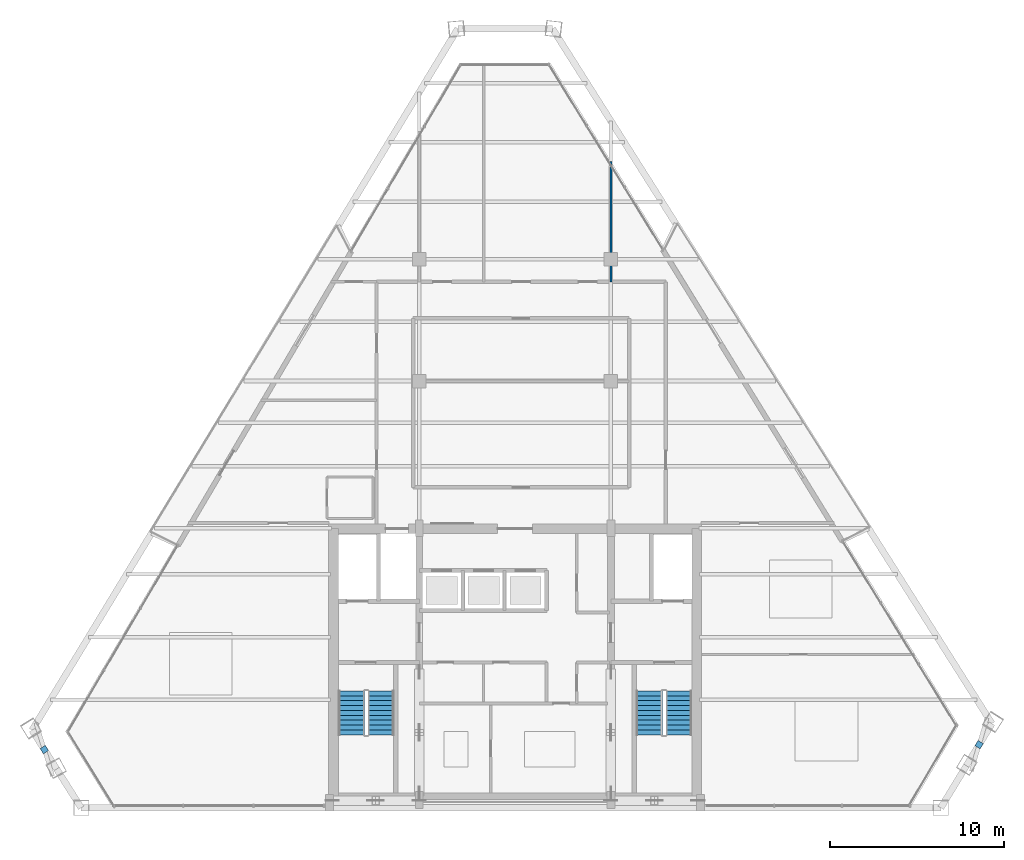
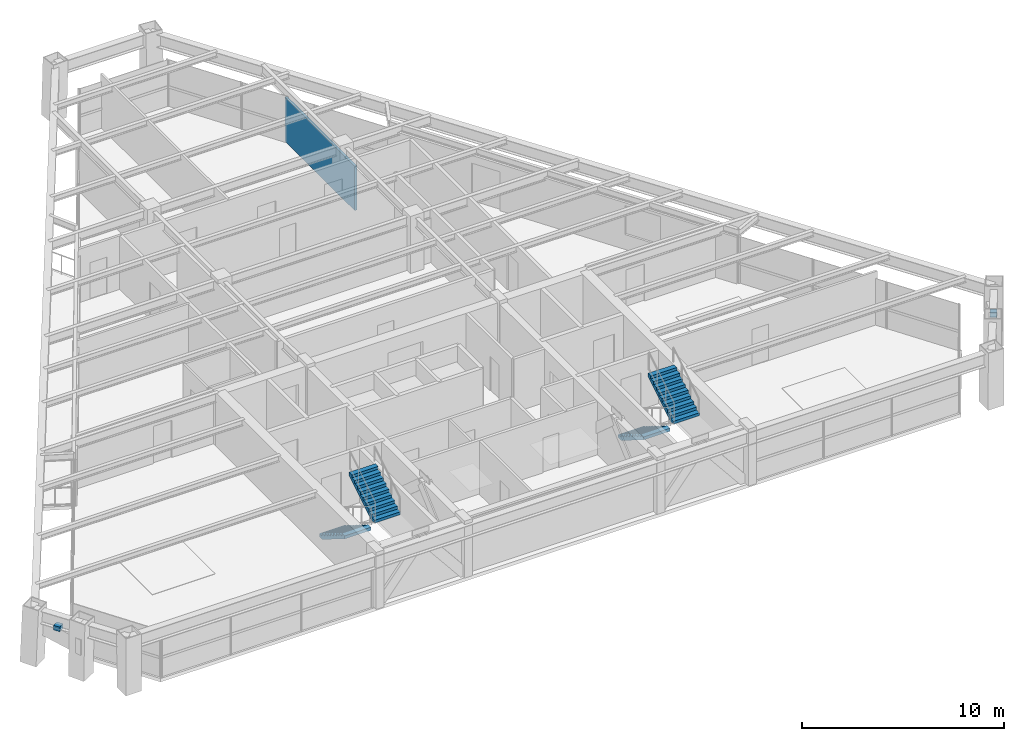
# One storey, part 11 of 14: 4 stair flights, 2 discrete accessories, 1 wall, 2 elements without a shape of their own.
"""IFC4 building model written with IfcOpenShell, lengths in metres."""

from ifc_helpers import new_model, si_unit, direction, frame, frame_2d, origin, origin_2d, place, context, subcontext, project, spatial, polyline, rectangle, outline, extrude, source, transform, mapped, material, layer, layer_set, type_object, type_shapes, element, aggregate, save


model = new_model("IFC4")

# Units and contexts
model_context = context("Model", 3, precision=1e-05, world=origin(), true_north=direction((0.0, 1.0)))
body_context = subcontext(model_context, "Body", "Model", "MODEL_VIEW")
ifc_project = project(units=[si_unit("LENGTHUNIT", "METRE"), si_unit("AREAUNIT", "SQUARE_METRE"), si_unit("VOLUMEUNIT", "CUBIC_METRE"), si_unit("PLANEANGLEUNIT", "RADIAN"), si_unit("MASSUNIT", "GRAM", prefix="KILO")], contexts=[model_context])

# Site, building, storey
site_placement = place(None, origin())
site = spatial("IfcSite", under=ifc_project, at=site_placement, CompositionType="ELEMENT")
building_placement = place(site_placement, origin())
building = spatial("IfcBuilding", under=site, at=building_placement, Name="Varnakhor Terracotta Tower", CompositionType="ELEMENT")
storey_placement = place(building_placement, frame((0.0, 0.0, 240.699951171875)))
storey = spatial("IfcBuildingStorey", under=building, at=storey_placement, Name="L62", CompositionType="ELEMENT", Elevation=240.699951171875)

# Wall
ifc_material_1 = material(Name="Acoustic Hotel Room Partition", Category="gypsum")
ifc_layer = layer(ifc_material_1, 0.1298828125, Name="Acoustic Hotel Room Partition")
ifc_layer_set = layer_set([ifc_layer], Name="Acoustic Hotel Room Partition")
wall_type = type_object("IfcWallType", Name="WAL-PART-130", PredefinedType="PARTITIONING", material=ifc_layer_set)
wall_placement = place(storey_placement, frame((5.5, 30.199951171875, 0.0), z_axis=(0.0, 0.0, 1.0), x_axis=(0.0, 1.0, 0.0)))
element("IfcWall", 1, at=wall_placement, inside=storey, type_object=wall_type, Name="L62 North East Column Wall", PredefinedType="PARTITIONING", context=body_context, shape_type="SweptSolid", body=[
    extrude(rectangle(XDim=6.9072265625, YDim=0.1298828125, at=frame_2d((3.45361328125, 0.0))), origin(), (0.0, 0.0, 1.0), 2.68310546875),
])

# Stair, stair flights
ifc_material_2 = material(Name="Concrete C40/50", Category="concrete")
stair_type = type_object("IfcStairType", Name="STR-CORE-HOTEL-1500", PredefinedType="HALF_TURN_STAIR", material=ifc_material_2)
stair_1_placement = place(storey_placement, origin())
stair_1 = element("IfcStair", 2, at=stair_1_placement, inside=storey, type_object=stair_type, Name="L62 Core Exit Stair ST-1", PredefinedType="HALF_TURN_STAIR")
stair_flight_type = type_object("IfcStairFlightType", Name="FLT-HOTEL-1500", PredefinedType="STRAIGHT", material=ifc_material_2)
stair_flight_1_placement = place(storey_placement, frame((-9.39990234375, 6.7099609375, 0.0), z_axis=(0.0, 0.0, 1.0), x_axis=(0.0, -1.0, 0.0)))
stair_flight_1 = element("IfcStairFlight", 3, at=stair_flight_1_placement, type_object=stair_flight_type, Name="ST-1 flight 1", NumberOfRisers=10, NumberOfTreads=9, PredefinedType="STRAIGHT", RiserHeight=0.1725, TreadLength=0.28, context=body_context, shape_type="SweptSolid", body=[
    extrude(outline(polyline([(0.0, 0.0), (0.0, 0.172607421875), (0.280029296875, 0.172607421875), (0.280029296875, 0.344970703125), (0.56005859375, 0.344970703125), (0.56005859375, 0.517578125), (0.840087890625, 0.517578125), (0.840087890625, 0.68994140625), (1.1201171875, 0.68994140625), (1.1201171875, 0.862548828125), (1.39990234375, 0.862548828125), (1.39990234375, 1.034912109375), (1.679931640625, 1.034912109375), (1.679931640625, 1.20751953125), (1.9599609375, 1.20751953125), (1.9599609375, 1.3798828125), (2.239990234375, 1.3798828125), (2.239990234375, 1.552490234375), (2.52001953125, 1.552490234375), (2.52001953125, 1.72509765625), (2.52001953125, 1.36474609375), (0.304931640625, 0.0), (0.0, 0.0)])), frame((0.0, 0.75, 0.0), z_axis=(0.0, -1.0, 0.0), x_axis=(1.0, 0.0, 0.0)), (0.0, 0.0, 1.0), 1.5),
])
stair_flight_2_placement = place(storey_placement, frame((-7.699951171875, 4.18994140625, 1.72509765625), z_axis=(0.0, 0.0, 1.0), x_axis=(0.0, 1.0, 0.0)))
stair_flight_2 = element("IfcStairFlight", 4, at=stair_flight_2_placement, type_object=stair_flight_type, Name="ST-1 flight 2", NumberOfRisers=10, NumberOfTreads=9, PredefinedType="STRAIGHT", RiserHeight=0.1725, TreadLength=0.28, context=body_context, shape_type="SweptSolid", body=[
    extrude(outline(polyline([(0.0, 0.0), (0.0, 0.172607421875), (0.280029296875, 0.172607421875), (0.280029296875, 0.344970703125), (0.56005859375, 0.344970703125), (0.56005859375, 0.517578125), (0.840087890625, 0.517578125), (0.840087890625, 0.68994140625), (1.1201171875, 0.68994140625), (1.1201171875, 0.862548828125), (1.39990234375, 0.862548828125), (1.39990234375, 1.034912109375), (1.679931640625, 1.034912109375), (1.679931640625, 1.20751953125), (1.9599609375, 1.20751953125), (1.9599609375, 1.3798828125), (2.239990234375, 1.3798828125), (2.239990234375, 1.552490234375), (2.52001953125, 1.552490234375), (2.52001953125, 1.72509765625), (2.52001953125, 1.36474609375), (0.304931640625, 0.0), (0.0, 0.0)])), frame((0.0, 0.75, 0.0), z_axis=(0.0, -1.0, 0.0), x_axis=(1.0, 0.0, 0.0)), (0.0, 0.0, 1.0), 1.5),
])
aggregate(stair_1, [stair_flight_1, stair_flight_2])

stair_2_placement = place(storey_placement, origin())
stair_2 = element("IfcStair", 5, at=stair_2_placement, inside=storey, type_object=stair_type, Name="L62 Core Exit Stair ST-2", PredefinedType="HALF_TURN_STAIR")
stair_flight_3_placement = place(storey_placement, frame((7.699951171875, 6.7099609375, 0.0), z_axis=(0.0, 0.0, 1.0), x_axis=(0.0, -1.0, 0.0)))
stair_flight_3 = element("IfcStairFlight", 6, at=stair_flight_3_placement, type_object=stair_flight_type, Name="ST-2 flight 1", NumberOfRisers=10, NumberOfTreads=9, PredefinedType="STRAIGHT", RiserHeight=0.1725, TreadLength=0.28, context=body_context, shape_type="SweptSolid", body=[
    extrude(outline(polyline([(0.0, 0.0), (0.0, 0.172607421875), (0.280029296875, 0.172607421875), (0.280029296875, 0.344970703125), (0.56005859375, 0.344970703125), (0.56005859375, 0.517578125), (0.840087890625, 0.517578125), (0.840087890625, 0.68994140625), (1.1201171875, 0.68994140625), (1.1201171875, 0.862548828125), (1.39990234375, 0.862548828125), (1.39990234375, 1.034912109375), (1.679931640625, 1.034912109375), (1.679931640625, 1.20751953125), (1.9599609375, 1.20751953125), (1.9599609375, 1.3798828125), (2.239990234375, 1.3798828125), (2.239990234375, 1.552490234375), (2.52001953125, 1.552490234375), (2.52001953125, 1.72509765625), (2.52001953125, 1.36474609375), (0.304931640625, 0.0), (0.0, 0.0)])), frame((0.0, 0.75, 0.0), z_axis=(0.0, -1.0, 0.0), x_axis=(1.0, 0.0, 0.0)), (0.0, 0.0, 1.0), 1.5),
])
stair_flight_4_placement = place(storey_placement, frame((9.39990234375, 4.18994140625, 1.72509765625), z_axis=(0.0, 0.0, 1.0), x_axis=(0.0, 1.0, 0.0)))
stair_flight_4 = element("IfcStairFlight", 7, at=stair_flight_4_placement, type_object=stair_flight_type, Name="ST-2 flight 2", NumberOfRisers=10, NumberOfTreads=9, PredefinedType="STRAIGHT", RiserHeight=0.1725, TreadLength=0.28, context=body_context, shape_type="SweptSolid", body=[
    extrude(outline(polyline([(0.0, 0.0), (0.0, 0.172607421875), (0.280029296875, 0.172607421875), (0.280029296875, 0.344970703125), (0.56005859375, 0.344970703125), (0.56005859375, 0.517578125), (0.840087890625, 0.517578125), (0.840087890625, 0.68994140625), (1.1201171875, 0.68994140625), (1.1201171875, 0.862548828125), (1.39990234375, 0.862548828125), (1.39990234375, 1.034912109375), (1.679931640625, 1.034912109375), (1.679931640625, 1.20751953125), (1.9599609375, 1.20751953125), (1.9599609375, 1.3798828125), (2.239990234375, 1.3798828125), (2.239990234375, 1.552490234375), (2.52001953125, 1.552490234375), (2.52001953125, 1.72509765625), (2.52001953125, 1.36474609375), (0.304931640625, 0.0), (0.0, 0.0)])), frame((0.0, 0.75, 0.0), z_axis=(0.0, -1.0, 0.0), x_axis=(1.0, 0.0, 0.0)), (0.0, 0.0, 1.0), 1.5),
])
aggregate(stair_2, [stair_flight_3, stair_flight_4])

# Discrete accessories
ifc_material_3 = material(Name="Stainless Steel Fixing Bracket", Category="steel")
discrete_accessory_type = type_object("IfcDiscreteAccessoryType", Name="BRACKET-TERRACOTTA-SCREEN", PredefinedType="BRACKET", material=ifc_material_3)
shared_shape = source(origin(), body_context, "Body", "SweptSolid", [
    extrude(rectangle(XDim=0.35009765625, YDim=0.35009765625, at=origin_2d()), origin(), (0.0, 0.0, 1.0), 0.280029296875),
])
type_shapes(discrete_accessory_type, [shared_shape])
for number, where, z_axis, x_axis, name in (
    (8, (26.64013671875, 3.628173828125, 2.3369140625), (0.0, 0.0, 1.0), (0.518832941004, 0.854875651384, 0.0), "L62 E Screen Fixing Bracket"),
    (9, (-27.021484375, 3.344970703125, 2.3369140625), (0.0, 0.0, 1.0), (0.534485116215, -0.845177886923, 0.0), "L62 W Screen Fixing Bracket"),
):
    element("IfcDiscreteAccessory", number, at=place(storey_placement, frame(where, z_axis=z_axis, x_axis=x_axis)), inside=storey, type_object=discrete_accessory_type, Name=name, PredefinedType="BRACKET", context=body_context, shape_type="MappedRepresentation", body=[
        mapped(shared_shape, transform((0.0, 0.0, 0.0), scale=1.0)),
    ])

save(model, "model.ifc")
